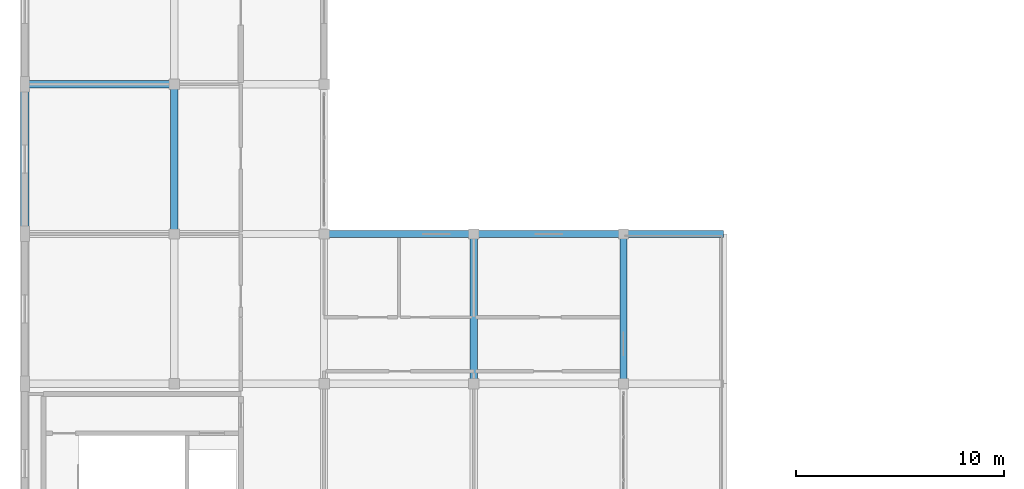
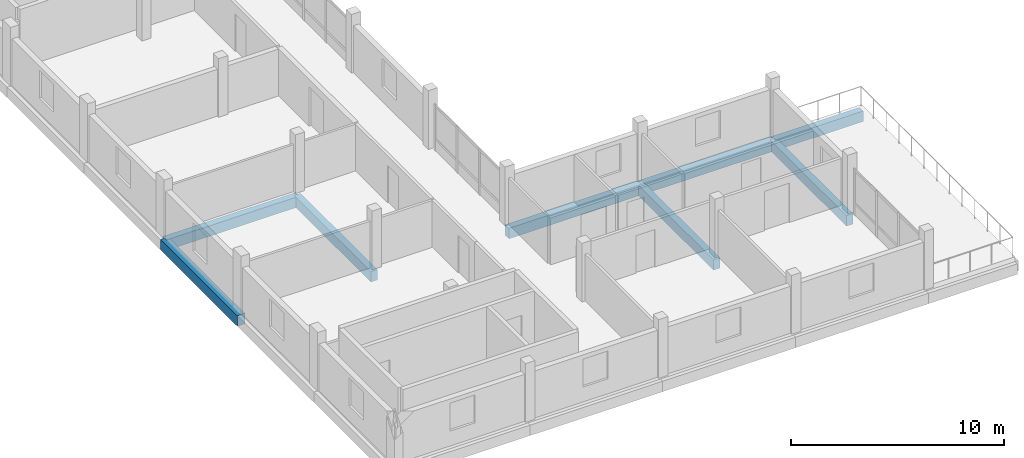
# One storey, part 5 of 18: 8 beams.
"""IFC4 building model written with IfcOpenShell, lengths in metres."""

from ifc_helpers import new_model, si_unit, direction, frame, origin, origin_2d, place, context, subcontext, project, spatial, rectangle, extrude, material, material_profile, profile_set, type_object, element, save


model = new_model("IFC4")

# Units and contexts
model_context = context("Model", 3, precision=1e-05, world=origin(), true_north=direction((0.0, 1.0)))
body_context = subcontext(model_context, "Body", "Model", "MODEL_VIEW")
ifc_project = project(units=[si_unit("LENGTHUNIT", "METRE"), si_unit("AREAUNIT", "SQUARE_METRE"), si_unit("VOLUMEUNIT", "CUBIC_METRE"), si_unit("PLANEANGLEUNIT", "RADIAN"), si_unit("MASSUNIT", "GRAM", prefix="KILO")], contexts=[model_context])

# Site, building, storey
site_placement = place(None, origin())
site = spatial("IfcSite", under=ifc_project, at=site_placement, CompositionType="ELEMENT")
building_placement = place(site_placement, origin())
building = spatial("IfcBuilding", under=site, at=building_placement, Name="Zornivar Specialist Clinic", CompositionType="ELEMENT")
storey_placement = place(building_placement, frame((0.0, 0.0, 23.39990234375)))
storey = spatial("IfcBuildingStorey", under=building, at=storey_placement, Name="L06", CompositionType="ELEMENT", Elevation=23.39990234375)

# Beams
ifc_material_1 = material(Name="Concrete C30/37", Category="concrete")
ifc_material_profile_1 = material_profile(ifc_material_1, rectangle(XDim=0.35009765625, YDim=0.60009765625, at=origin_2d()), Name="RC 350x600")
ifc_profile_set_1 = profile_set([ifc_material_profile_1], Name="Concrete C30/37")
beam_type_1 = type_object("IfcBeamType", Name="BM-RC-350x600", PredefinedType="BEAM", material=ifc_profile_set_1)
beam_1_placement = place(storey_placement, frame((14.39990234375, 14.39990234375, -0.579833984375), z_axis=(1.0, 0.0, 0.0), x_axis=(0.0, 1.0, 0.0)))
element("IfcBeam", 1, at=beam_1_placement, inside=storey, type_object=beam_type_1, Name="bm:V2:L06:x:144:2", PredefinedType="BEAM", context=body_context, shape_type="SweptSolid", body=[
    extrude(rectangle(XDim=0.35009765625, YDim=0.60009765625, at=origin_2d()), origin(), (0.0, 0.0, 1.0), 7.2001953125),
])
beam_2_placement = place(storey_placement, frame((21.60009765625, 14.39990234375, -0.579833984375), z_axis=(1.0, 0.0, 0.0), x_axis=(0.0, 1.0, 0.0)))
element("IfcBeam", 2, at=beam_2_placement, inside=storey, type_object=beam_type_1, Name="bm:V2:L06:x:144:3", PredefinedType="BEAM", context=body_context, shape_type="SweptSolid", body=[
    extrude(rectangle(XDim=0.35009765625, YDim=0.60009765625, at=origin_2d()), origin(), (0.0, 0.0, 1.0), 7.199951171875),
])
beam_3_placement = place(storey_placement, frame((28.800048828125, 14.39990234375, -0.579833984375), z_axis=(1.0, 0.0, 0.0), x_axis=(0.0, 1.0, 0.0)))
element("IfcBeam", 3, at=beam_3_placement, inside=storey, type_object=beam_type_1, Name="bm:V2:L06:x:144:4", PredefinedType="BEAM", context=body_context, shape_type="SweptSolid", body=[
    extrude(rectangle(XDim=0.35009765625, YDim=0.60009765625, at=origin_2d()), origin(), (0.0, 0.0, 1.0), 4.800048828125),
])
beam_4_placement = place(storey_placement, frame((0.0, 21.60009765625, -0.579833984375), z_axis=(1.0, 0.0, 0.0), x_axis=(0.0, 1.0, 0.0)))
element("IfcBeam", 4, at=beam_4_placement, inside=storey, type_object=beam_type_1, Name="bm:V2:L06:x:216:0", PredefinedType="BEAM", context=body_context, shape_type="SweptSolid", body=[
    extrude(rectangle(XDim=0.35009765625, YDim=0.60009765625, at=origin_2d()), origin(), (0.0, 0.0, 1.0), 7.199951171875),
])
beam_5_placement = place(storey_placement, frame((7.199951171875, 14.39990234375, -0.579833984375), z_axis=(0.0, 1.0, 0.0), x_axis=(-1.0, 0.0, 0.0)))
element("IfcBeam", 5, at=beam_5_placement, inside=storey, type_object=beam_type_1, Name="bm:V2:L06:y:72:2", PredefinedType="BEAM", context=body_context, shape_type="SweptSolid", body=[
    extrude(rectangle(XDim=0.35009765625, YDim=0.60009765625, at=origin_2d()), origin(), (0.0, 0.0, 1.0), 7.2001953125),
])
for number, where, z_axis, x_axis, name in (
    (6, (21.60009765625, 7.199951171875, -0.579833984375), (0.0, 1.0, 0.0), (-1.0, 0.0, 0.0), "bm:V2:L06:y:216:1"),
    (7, (28.800048828125, 7.199951171875, -0.579833984375), (0.0, 1.0, 0.0), (-1.0, 0.0, 0.0), "bm:V2:L06:y:288:1"),
):
    element("IfcBeam", number, at=place(storey_placement, frame(where, z_axis=z_axis, x_axis=x_axis)), inside=storey, type_object=beam_type_1, Name=name, PredefinedType="BEAM", context=body_context, shape_type="SweptSolid", body=[
        extrude(rectangle(XDim=0.35009765625, YDim=0.60009765625, at=origin_2d()), origin(), (0.0, 0.0, 1.0), 7.199951171875),
    ])
ifc_material_2 = material(Name="Concrete C30/37", Category="concrete")
ifc_material_profile_2 = material_profile(ifc_material_2, rectangle(XDim=0.409912109375, YDim=0.60009765625, at=origin_2d()), Name="RC 410x600")
ifc_profile_set_2 = profile_set([ifc_material_profile_2], Name="Concrete C30/37")
beam_type_2 = type_object("IfcBeamType", Name="BM-RC-SPANDREL-410x600", PredefinedType="SPANDREL", material=ifc_profile_set_2)
beam_6_placement = place(storey_placement, frame((0.0, 14.39990234375, -0.579833984375), z_axis=(0.0, 1.0, 0.0), x_axis=(-1.0, 0.0, 0.0)))
element("IfcBeam", 8, at=beam_6_placement, inside=storey, type_object=beam_type_2, Name="bm:V2:L06:y:0:2", PredefinedType="SPANDREL", context=body_context, shape_type="SweptSolid", body=[
    extrude(rectangle(XDim=0.409912109375, YDim=0.60009765625, at=origin_2d()), origin(), (0.0, 0.0, 1.0), 7.2001953125),
])

save(model, "model.ifc")
